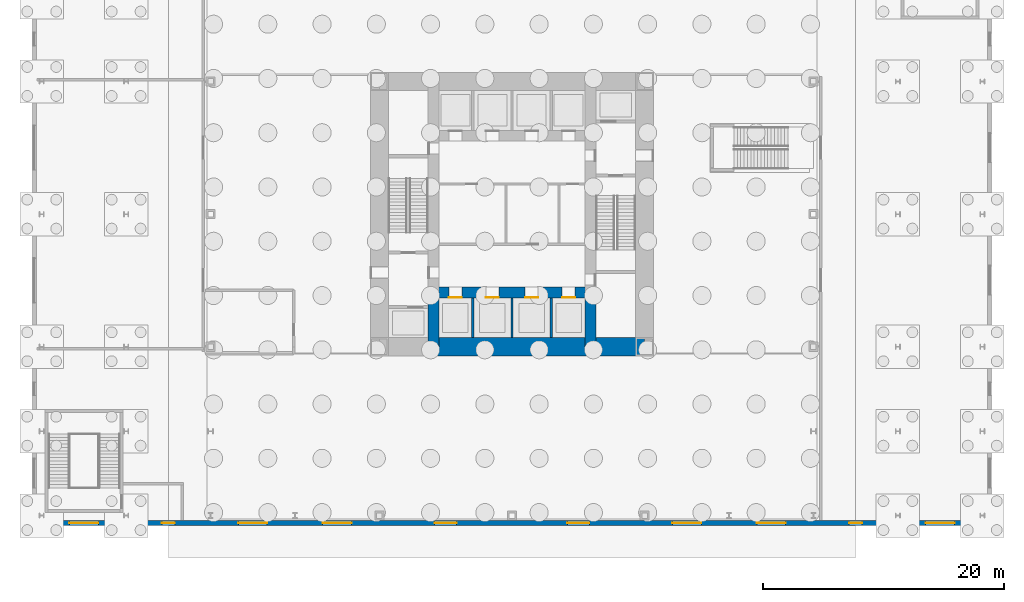
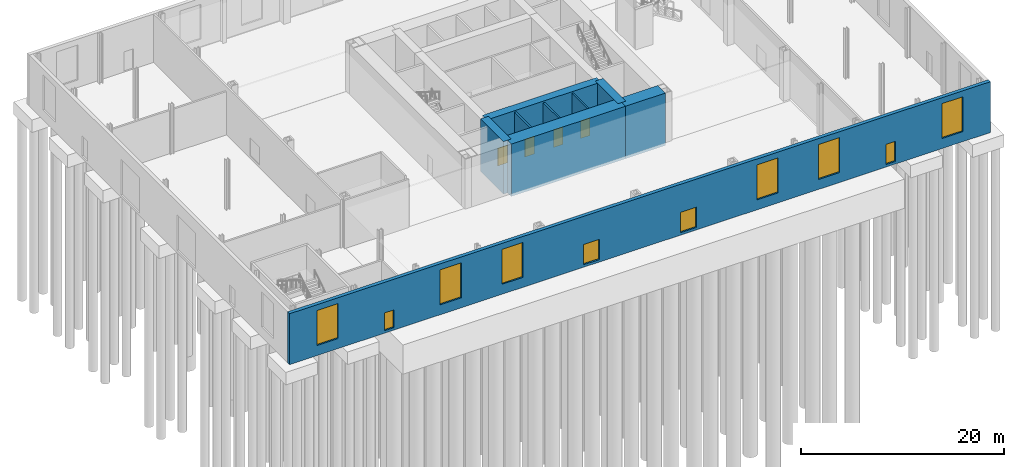
# One storey, part 9 of 16: 9 walls, 8 doors, 6 windows, 14 openings.
"""IFC4 building model written with IfcOpenShell, lengths in metres."""

from ifc_helpers import new_model, si_unit, direction, frame, frame_2d, origin, place, context, subcontext, project, spatial, rectangle, extrude, material, layer, layer_set, type_object, element, fill, save


model = new_model("IFC4")

# Units and contexts
model_context = context("Model", 3, precision=1e-05, world=origin(), true_north=direction((0.0, 1.0)))
body_context = subcontext(model_context, "Body", "Model", "MODEL_VIEW")
ifc_project = project(units=[si_unit("LENGTHUNIT", "METRE"), si_unit("AREAUNIT", "SQUARE_METRE"), si_unit("VOLUMEUNIT", "CUBIC_METRE"), si_unit("PLANEANGLEUNIT", "RADIAN"), si_unit("MASSUNIT", "GRAM", prefix="KILO")], contexts=[model_context])

# Site, building, storey
site_placement = place(None, origin())
site = spatial("IfcSite", under=ifc_project, at=site_placement, CompositionType="ELEMENT")
building_placement = place(site_placement, origin())
building = spatial("IfcBuilding", under=site, at=building_placement, Name="Trevanion Tower", CompositionType="ELEMENT")
storey_placement = place(building_placement, origin())
storey = spatial("IfcBuildingStorey", under=building, at=storey_placement, Name="L00", CompositionType="ELEMENT", Elevation=0.0)

# Walls
ifc_material_1 = material(Name="Concrete 10,000 psi", Category="concrete")
ifc_layer_1 = layer(ifc_material_1, 1.5)
ifc_layer_set_1 = layer_set([ifc_layer_1], Name="CW1 core wall 1500")
wall_type_1 = type_object("IfcWallType", Name="CW1 core wall 1500", PredefinedType="SHEAR", material=ifc_layer_set_1)
wall_1_placement = place(storey_placement, frame((-6.5, -11.0, -0.300048828125), z_axis=(0.0, 0.0, 1.0), x_axis=(1.0, 0.0, 0.0)))
element("IfcWall", 1, at=wall_1_placement, inside=storey, type_object=wall_type_1, Name="CW1 CS2 L00", PredefinedType="SHEAR", context=body_context, shape_type="SweptSolid", body=[
    extrude(rectangle(XDim=13.0, YDim=1.5, at=frame_2d((6.5, 0.0))), origin(), (0.0, 0.0, 1.0), 6.300048828125),
])
wall_2_placement = place(storey_placement, frame((6.5, -11.0, -0.300048828125), z_axis=(0.0, 0.0, 1.0), x_axis=(1.0, 0.0, 0.0)))
element("IfcWall", 2, at=wall_2_placement, inside=storey, type_object=wall_type_1, Name="CW1 CS3 L00", PredefinedType="SHEAR", context=body_context, shape_type="SweptSolid", body=[
    extrude(rectangle(XDim=4.5, YDim=1.5, at=frame_2d((2.25, 0.0))), origin(), (0.0, 0.0, 1.0), 6.300048828125),
])
ifc_material_2 = material(Name="Concrete 10,000 psi", Category="concrete")
ifc_layer_2 = layer(ifc_material_2, 0.89990234375)
ifc_layer_set_2 = layer_set([ifc_layer_2], Name="CW2 core wall 900")
wall_type_2 = type_object("IfcWallType", Name="CW2 core wall 900", PredefinedType="SHEAR", material=ifc_layer_set_2)
for number, where, z_axis, x_axis, name in (
    (3, (6.5, -11.0, -0.300048828125), (0.0, 0.0, 1.0), (0.0, 1.0, 0.0), "CW2 RE1 L00"),
    (4, (-6.5, -6.5, -0.300048828125), (0.0, 0.0, 1.0), (0.0, -1.0, 0.0), "CW2 RW3 L00"),
):
    element("IfcWall", number, at=place(storey_placement, frame(where, z_axis=z_axis, x_axis=x_axis)), inside=storey, type_object=wall_type_2, Name=name, PredefinedType="SHEAR", context=body_context, shape_type="SweptSolid", body=[
        extrude(rectangle(XDim=4.5, YDim=0.89990234375, at=frame_2d((2.25, 0.0))), origin(), (0.0, 0.0, 1.0), 6.300048828125),
    ])

# Wall, openings, doors
wall_3_placement = place(storey_placement, frame((-6.5, -6.5, -0.300048828125), z_axis=(0.0, 0.0, 1.0), x_axis=(1.0, 0.0, 0.0)))
wall_3 = element("IfcWall", 5, at=wall_3_placement, inside=storey, type_object=wall_type_2, Name="CW2 RS L00", PredefinedType="SHEAR", context=body_context, shape_type="SweptSolid", body=[
    extrude(rectangle(XDim=13.0, YDim=0.89990234375, at=frame_2d((6.5, 0.0))), origin(), (0.0, 0.0, 1.0), 6.300048828125),
])
opening_1_placement = place(wall_3_placement, frame((1.2666015625, 0.0, 0.300048828125)))
opening_1 = element("IfcOpeningElement", 6, at=opening_1_placement, cuts=wall_3, Name="Opening 00-015", PredefinedType="OPENING", context=body_context, shape_type="SweptSolid", body=[
    extrude(rectangle(XDim=1.06689453125, YDim=2.134033203125, at=frame_2d((0.533447265625, 1.06689453125))), frame((0.0, 0.4599609375, 0.0), z_axis=(0.0, -1.0, 0.0), x_axis=(1.0, 0.0, 0.0)), (0.0, 0.0, 1.0), 0.919921875),
])
opening_2_placement = place(wall_3_placement, frame((4.341552734375, 0.0, 0.300048828125)))
opening_2 = element("IfcOpeningElement", 7, at=opening_2_placement, cuts=wall_3, Name="Opening 00-016", PredefinedType="OPENING", context=body_context, shape_type="SweptSolid", body=[
    extrude(rectangle(XDim=1.06689453125, YDim=2.134033203125, at=frame_2d((0.533447265625, 1.06689453125))), frame((0.0, 0.4599609375, 0.0), z_axis=(0.0, -1.0, 0.0), x_axis=(1.0, 0.0, 0.0)), (0.0, 0.0, 1.0), 0.919921875),
])
opening_3_placement = place(wall_3_placement, frame((7.591552734375, 0.0, 0.300048828125)))
opening_3 = element("IfcOpeningElement", 8, at=opening_3_placement, cuts=wall_3, Name="Opening 00-017", PredefinedType="OPENING", context=body_context, shape_type="SweptSolid", body=[
    extrude(rectangle(XDim=1.06689453125, YDim=2.134033203125, at=frame_2d((0.533447265625, 1.06689453125))), frame((0.0, 0.4599609375, 0.0), z_axis=(0.0, -1.0, 0.0), x_axis=(1.0, 0.0, 0.0)), (0.0, 0.0, 1.0), 0.919921875),
])
opening_4_placement = place(wall_3_placement, frame((10.66650390625, 0.0, 0.300048828125)))
opening_4 = element("IfcOpeningElement", 9, at=opening_4_placement, cuts=wall_3, Name="Opening 00-018", PredefinedType="OPENING", context=body_context, shape_type="SweptSolid", body=[
    extrude(rectangle(XDim=1.06689453125, YDim=2.134033203125, at=frame_2d((0.533447265625, 1.06689453125))), frame((0.0, 0.4599609375, 0.0), z_axis=(0.0, -1.0, 0.0), x_axis=(1.0, 0.0, 0.0)), (0.0, 0.0, 1.0), 0.919921875),
])
ifc_material_3 = material(Name="Stainless steel, fire rated", Category="steel")
door_type_1 = type_object("IfcDoorType", Name="LD1 lift landing door", OperationType="SLIDING_TO_LEFT", PredefinedType="DOOR", material=ifc_material_3)
door_1_placement = place(opening_1_placement, origin())
door_1 = element("IfcDoor", 10, at=door_1_placement, inside=storey, type_object=door_type_1, Name="Door 00-015", OperationType="SLIDING_TO_LEFT", OverallHeight=2.134033203125, OverallWidth=1.06689453125, PredefinedType="DOOR", context=body_context, shape_type="SweptSolid", body=[
    extrude(rectangle(XDim=1.06689453125, YDim=2.134033203125, at=frame_2d((0.533447265625, 1.06689453125))), frame((0.0, -0.375, 0.0), z_axis=(0.0, -1.0, 0.0), x_axis=(1.0, 0.0, 0.0)), (0.0, 0.0, 1.0), 0.050048828125),
])
fill(opening_1, door_1)
door_2_placement = place(opening_2_placement, origin())
door_2 = element("IfcDoor", 11, at=door_2_placement, inside=storey, type_object=door_type_1, Name="Door 00-016", OperationType="SLIDING_TO_LEFT", OverallHeight=2.134033203125, OverallWidth=1.06689453125, PredefinedType="DOOR", context=body_context, shape_type="SweptSolid", body=[
    extrude(rectangle(XDim=1.06689453125, YDim=2.134033203125, at=frame_2d((0.533447265625, 1.06689453125))), frame((0.0, -0.375, 0.0), z_axis=(0.0, -1.0, 0.0), x_axis=(1.0, 0.0, 0.0)), (0.0, 0.0, 1.0), 0.050048828125),
])
fill(opening_2, door_2)
door_3_placement = place(opening_3_placement, origin())
door_3 = element("IfcDoor", 12, at=door_3_placement, inside=storey, type_object=door_type_1, Name="Door 00-017", OperationType="SLIDING_TO_LEFT", OverallHeight=2.134033203125, OverallWidth=1.06689453125, PredefinedType="DOOR", context=body_context, shape_type="SweptSolid", body=[
    extrude(rectangle(XDim=1.06689453125, YDim=2.134033203125, at=frame_2d((0.533447265625, 1.06689453125))), frame((0.0, -0.375, 0.0), z_axis=(0.0, -1.0, 0.0), x_axis=(1.0, 0.0, 0.0)), (0.0, 0.0, 1.0), 0.050048828125),
])
fill(opening_3, door_3)
door_4_placement = place(opening_4_placement, origin())
door_4 = element("IfcDoor", 13, at=door_4_placement, inside=storey, type_object=door_type_1, Name="Door 00-018", OperationType="SLIDING_TO_LEFT", OverallHeight=2.134033203125, OverallWidth=1.06689453125, PredefinedType="DOOR", context=body_context, shape_type="SweptSolid", body=[
    extrude(rectangle(XDim=1.06689453125, YDim=2.134033203125, at=frame_2d((0.533447265625, 1.06689453125))), frame((0.0, -0.375, 0.0), z_axis=(0.0, -1.0, 0.0), x_axis=(1.0, 0.0, 0.0)), (0.0, 0.0, 1.0), 0.050048828125),
])
fill(opening_4, door_4)

# Wall, openings, doors, windows
ifc_material_4 = material(Name="Granite cladding on concrete masonry", Category="masonry")
ifc_layer_3 = layer(ifc_material_4, 0.39990234375)
ifc_layer_set_3 = layer_set([ifc_layer_3], Name="EW1 granite-faced wall 400")
wall_type_3 = type_object("IfcWallType", Name="EW1 granite-faced wall 400", PredefinedType="SOLIDWALL", material=ifc_layer_set_3)
wall_4_placement = place(storey_placement, frame((-39.820068359375, -25.6201171875, -0.300048828125), z_axis=(0.0, 0.0, 1.0), x_axis=(1.0, 0.0, 0.0)))
wall_4 = element("IfcWall", 14, at=wall_4_placement, inside=storey, type_object=wall_type_3, Name="EW1 S L00", PredefinedType="SOLIDWALL", context=body_context, shape_type="SweptSolid", body=[
    extrude(rectangle(XDim=79.64013671875, YDim=0.39990234375, at=frame_2d((39.820068359375, 0.0))), origin(), (0.0, 0.0, 1.0), 6.110107421875),
])
opening_5_placement = place(wall_4_placement, frame((3.1201171875, 0.0, 1.199951171875)))
opening_5 = element("IfcOpeningElement", 15, at=opening_5_placement, cuts=wall_4, Name="Opening WN1", PredefinedType="OPENING", context=body_context, shape_type="SweptSolid", body=[
    extrude(rectangle(XDim=2.39990234375, YDim=4.199951171875, at=frame_2d((1.199951171875, 2.10009765625))), frame((0.0, 0.2099609375, 0.0), z_axis=(0.0, -1.0, 0.0), x_axis=(1.0, 0.0, 0.0)), (0.0, 0.0, 1.0), 0.419921875),
])
opening_6_placement = place(wall_4_placement, frame((17.1201171875, 0.0, 1.199951171875)))
opening_6 = element("IfcOpeningElement", 16, at=opening_6_placement, cuts=wall_4, Name="Opening WN1", PredefinedType="OPENING", context=body_context, shape_type="SweptSolid", body=[
    extrude(rectangle(XDim=2.39990234375, YDim=4.199951171875, at=frame_2d((1.199951171875, 2.10009765625))), frame((0.0, 0.2099609375, 0.0), z_axis=(0.0, -1.0, 0.0), x_axis=(1.0, 0.0, 0.0)), (0.0, 0.0, 1.0), 0.419921875),
])
opening_7_placement = place(wall_4_placement, frame((24.1201171875, 0.0, 1.199951171875)))
opening_7 = element("IfcOpeningElement", 17, at=opening_7_placement, cuts=wall_4, Name="Opening WN1", PredefinedType="OPENING", context=body_context, shape_type="SweptSolid", body=[
    extrude(rectangle(XDim=2.39990234375, YDim=4.199951171875, at=frame_2d((1.199951171875, 2.10009765625))), frame((0.0, 0.2099609375, 0.0), z_axis=(0.0, -1.0, 0.0), x_axis=(1.0, 0.0, 0.0)), (0.0, 0.0, 1.0), 0.419921875),
])
opening_8_placement = place(wall_4_placement, frame((33.405029296875, 0.0, 0.300048828125)))
opening_8 = element("IfcOpeningElement", 18, at=opening_8_placement, cuts=wall_4, Name="Opening 00E01", PredefinedType="OPENING", context=body_context, shape_type="SweptSolid", body=[
    extrude(rectangle(XDim=1.830078125, YDim=2.43994140625, at=frame_2d((0.9150390625, 1.219970703125))), frame((0.0, 0.2099609375, 0.0), z_axis=(0.0, -1.0, 0.0), x_axis=(1.0, 0.0, 0.0)), (0.0, 0.0, 1.0), 0.419921875),
])
opening_9_placement = place(wall_4_placement, frame((44.405029296875, 0.0, 0.300048828125)))
opening_9 = element("IfcOpeningElement", 19, at=opening_9_placement, cuts=wall_4, Name="Opening 00E02", PredefinedType="OPENING", context=body_context, shape_type="SweptSolid", body=[
    extrude(rectangle(XDim=1.830078125, YDim=2.43994140625, at=frame_2d((0.9150390625, 1.219970703125))), frame((0.0, 0.2099609375, 0.0), z_axis=(0.0, -1.0, 0.0), x_axis=(1.0, 0.0, 0.0)), (0.0, 0.0, 1.0), 0.419921875),
])
opening_10_placement = place(wall_4_placement, frame((53.1201171875, 0.0, 1.199951171875)))
opening_10 = element("IfcOpeningElement", 20, at=opening_10_placement, cuts=wall_4, Name="Opening WN1", PredefinedType="OPENING", context=body_context, shape_type="SweptSolid", body=[
    extrude(rectangle(XDim=2.39990234375, YDim=4.199951171875, at=frame_2d((1.199951171875, 2.10009765625))), frame((0.0, 0.2099609375, 0.0), z_axis=(0.0, -1.0, 0.0), x_axis=(1.0, 0.0, 0.0)), (0.0, 0.0, 1.0), 0.419921875),
])
opening_11_placement = place(wall_4_placement, frame((60.1201171875, 0.0, 1.199951171875)))
opening_11 = element("IfcOpeningElement", 21, at=opening_11_placement, cuts=wall_4, Name="Opening WN1", PredefinedType="OPENING", context=body_context, shape_type="SweptSolid", body=[
    extrude(rectangle(XDim=2.39990234375, YDim=4.199951171875, at=frame_2d((1.199951171875, 2.10009765625))), frame((0.0, 0.2099609375, 0.0), z_axis=(0.0, -1.0, 0.0), x_axis=(1.0, 0.0, 0.0)), (0.0, 0.0, 1.0), 0.419921875),
])
opening_12_placement = place(wall_4_placement, frame((67.784912109375, 0.0, 0.300048828125)))
opening_12 = element("IfcOpeningElement", 22, at=opening_12_placement, cuts=wall_4, Name="Opening 00E03", PredefinedType="OPENING", context=body_context, shape_type="SweptSolid", body=[
    extrude(rectangle(XDim=1.070068359375, YDim=2.43994140625, at=frame_2d((0.53515625, 1.219970703125))), frame((0.0, 0.2099609375, 0.0), z_axis=(0.0, -1.0, 0.0), x_axis=(1.0, 0.0, 0.0)), (0.0, 0.0, 1.0), 0.419921875),
])
opening_13_placement = place(wall_4_placement, frame((74.1201171875, 0.0, 1.199951171875)))
opening_13 = element("IfcOpeningElement", 23, at=opening_13_placement, cuts=wall_4, Name="Opening WN1", PredefinedType="OPENING", context=body_context, shape_type="SweptSolid", body=[
    extrude(rectangle(XDim=2.39990234375, YDim=4.199951171875, at=frame_2d((1.199951171875, 2.10009765625))), frame((0.0, 0.2099609375, 0.0), z_axis=(0.0, -1.0, 0.0), x_axis=(1.0, 0.0, 0.0)), (0.0, 0.0, 1.0), 0.419921875),
])
opening_14_placement = place(wall_4_placement, frame((10.784912109375, 0.0, 0.300048828125)))
opening_14 = element("IfcOpeningElement", 24, at=opening_14_placement, cuts=wall_4, Name="Opening 00E13", PredefinedType="OPENING", context=body_context, shape_type="SweptSolid", body=[
    extrude(rectangle(XDim=1.070068359375, YDim=2.1298828125, at=frame_2d((0.53515625, 1.06494140625))), frame((0.0, 0.2099609375, 0.0), z_axis=(0.0, -1.0, 0.0), x_axis=(1.0, 0.0, 0.0)), (0.0, 0.0, 1.0), 0.419921875),
])
ifc_material_5 = material(Name="Bronze-finish aluminium and glass", Category="aluminium")
door_type_2 = type_object("IfcDoorType", Name="ED1 bronze and glass entrance pair", OperationType="DOUBLE_DOOR_DOUBLE_SWING", PredefinedType="DOOR", material=ifc_material_5)
door_5_placement = place(opening_8_placement, frame((1.830078125, 0.0, 0.0), z_axis=(0.0, 0.0, 1.0), x_axis=(-1.0, 0.0, 0.0)))
door_5 = element("IfcDoor", 25, at=door_5_placement, inside=storey, type_object=door_type_2, Name="Door 00E01", OperationType="SINGLE_SWING_LEFT", OverallHeight=2.43994140625, OverallWidth=1.830078125, PredefinedType="DOOR", context=body_context, shape_type="SweptSolid", body=[
    extrude(rectangle(XDim=1.830078125, YDim=2.43994140625, at=frame_2d((0.9150390625, 1.219970703125))), frame((0.0, 0.02490234375, 0.0), z_axis=(0.0, -1.0, 0.0), x_axis=(1.0, 0.0, 0.0)), (0.0, 0.0, 1.0), 0.050048828125),
])
fill(opening_8, door_5)
door_6_placement = place(opening_9_placement, frame((1.830078125, 0.0, 0.0), z_axis=(0.0, 0.0, 1.0), x_axis=(-1.0, 0.0, 0.0)))
door_6 = element("IfcDoor", 26, at=door_6_placement, inside=storey, type_object=door_type_2, Name="Door 00E02", OperationType="SINGLE_SWING_LEFT", OverallHeight=2.43994140625, OverallWidth=1.830078125, PredefinedType="DOOR", context=body_context, shape_type="SweptSolid", body=[
    extrude(rectangle(XDim=1.830078125, YDim=2.43994140625, at=frame_2d((0.9150390625, 1.219970703125))), frame((0.0, 0.02490234375, 0.0), z_axis=(0.0, -1.0, 0.0), x_axis=(1.0, 0.0, 0.0)), (0.0, 0.0, 1.0), 0.050048828125),
])
fill(opening_9, door_6)
ifc_material_6 = material(Name="Bronze-finish aluminium and glass", Category="aluminium")
door_type_3 = type_object("IfcDoorType", Name="ED2 bronze and glass shop door", OperationType="SINGLE_SWING_LEFT", PredefinedType="DOOR", material=ifc_material_6)
door_7_placement = place(opening_12_placement, frame((1.070068359375, 0.0, 0.0), z_axis=(0.0, 0.0, 1.0), x_axis=(-1.0, 0.0, 0.0)))
door_7 = element("IfcDoor", 27, at=door_7_placement, inside=storey, type_object=door_type_3, Name="Door 00E03", OperationType="SINGLE_SWING_LEFT", OverallHeight=2.43994140625, OverallWidth=1.070068359375, PredefinedType="DOOR", context=body_context, shape_type="SweptSolid", body=[
    extrude(rectangle(XDim=1.070068359375, YDim=2.43994140625, at=frame_2d((0.53515625, 1.219970703125))), frame((0.0, 0.02490234375, 0.0), z_axis=(0.0, -1.0, 0.0), x_axis=(1.0, 0.0, 0.0)), (0.0, 0.0, 1.0), 0.050048828125),
])
fill(opening_12, door_7)
ifc_material_7 = material(Name="Steel", Category="steel")
door_type_4 = type_object("IfcDoorType", Name="ED3 steel exit door", OperationType="SINGLE_SWING_LEFT", PredefinedType="DOOR", material=ifc_material_7)
door_8_placement = place(opening_14_placement, frame((1.070068359375, 0.0, 0.0), z_axis=(0.0, 0.0, 1.0), x_axis=(-1.0, 0.0, 0.0)))
door_8 = element("IfcDoor", 28, at=door_8_placement, inside=storey, type_object=door_type_4, Name="Door 00E13", OperationType="SINGLE_SWING_LEFT", OverallHeight=2.1298828125, OverallWidth=1.070068359375, PredefinedType="DOOR", context=body_context, shape_type="SweptSolid", body=[
    extrude(rectangle(XDim=1.070068359375, YDim=2.1298828125, at=frame_2d((0.53515625, 1.06494140625))), frame((0.0, 0.02490234375, 0.0), z_axis=(0.0, -1.0, 0.0), x_axis=(1.0, 0.0, 0.0)), (0.0, 0.0, 1.0), 0.050048828125),
])
fill(opening_14, door_8)
ifc_material_8 = material(Name="Bronze-finish aluminium frame, insulating glass", Category="aluminium")
window_type = type_object("IfcWindowType", Name="WN1 window 2400x4200", PartitioningType="SINGLE_PANEL", PredefinedType="WINDOW", material=ifc_material_8)
window_1_placement = place(opening_5_placement, origin())
window_1 = element("IfcWindow", 29, at=window_1_placement, inside=storey, type_object=window_type, Name="WN1 S L00", OverallHeight=4.199951171875, OverallWidth=2.39990234375, PartitioningType="SINGLE_PANEL", PredefinedType="WINDOW", context=body_context, shape_type="SweptSolid", body=[
    extrude(rectangle(XDim=2.39990234375, YDim=4.199951171875, at=frame_2d((1.199951171875, 2.10009765625))), frame((0.0, 0.030029296875, 0.0), z_axis=(0.0, -1.0, 0.0), x_axis=(1.0, 0.0, 0.0)), (0.0, 0.0, 1.0), 0.06005859375),
])
fill(opening_5, window_1)
window_2_placement = place(opening_6_placement, origin())
window_2 = element("IfcWindow", 30, at=window_2_placement, inside=storey, type_object=window_type, Name="WN1 S L00", OverallHeight=4.199951171875, OverallWidth=2.39990234375, PartitioningType="SINGLE_PANEL", PredefinedType="WINDOW", context=body_context, shape_type="SweptSolid", body=[
    extrude(rectangle(XDim=2.39990234375, YDim=4.199951171875, at=frame_2d((1.199951171875, 2.10009765625))), frame((0.0, 0.030029296875, 0.0), z_axis=(0.0, -1.0, 0.0), x_axis=(1.0, 0.0, 0.0)), (0.0, 0.0, 1.0), 0.06005859375),
])
fill(opening_6, window_2)
window_3_placement = place(opening_7_placement, origin())
window_3 = element("IfcWindow", 31, at=window_3_placement, inside=storey, type_object=window_type, Name="WN1 S L00", OverallHeight=4.199951171875, OverallWidth=2.39990234375, PartitioningType="SINGLE_PANEL", PredefinedType="WINDOW", context=body_context, shape_type="SweptSolid", body=[
    extrude(rectangle(XDim=2.39990234375, YDim=4.199951171875, at=frame_2d((1.199951171875, 2.10009765625))), frame((0.0, 0.030029296875, 0.0), z_axis=(0.0, -1.0, 0.0), x_axis=(1.0, 0.0, 0.0)), (0.0, 0.0, 1.0), 0.06005859375),
])
fill(opening_7, window_3)
window_4_placement = place(opening_10_placement, origin())
window_4 = element("IfcWindow", 32, at=window_4_placement, inside=storey, type_object=window_type, Name="WN1 S L00", OverallHeight=4.199951171875, OverallWidth=2.39990234375, PartitioningType="SINGLE_PANEL", PredefinedType="WINDOW", context=body_context, shape_type="SweptSolid", body=[
    extrude(rectangle(XDim=2.39990234375, YDim=4.199951171875, at=frame_2d((1.199951171875, 2.10009765625))), frame((0.0, 0.030029296875, 0.0), z_axis=(0.0, -1.0, 0.0), x_axis=(1.0, 0.0, 0.0)), (0.0, 0.0, 1.0), 0.06005859375),
])
fill(opening_10, window_4)
window_5_placement = place(opening_11_placement, origin())
window_5 = element("IfcWindow", 33, at=window_5_placement, inside=storey, type_object=window_type, Name="WN1 S L00", OverallHeight=4.199951171875, OverallWidth=2.39990234375, PartitioningType="SINGLE_PANEL", PredefinedType="WINDOW", context=body_context, shape_type="SweptSolid", body=[
    extrude(rectangle(XDim=2.39990234375, YDim=4.199951171875, at=frame_2d((1.199951171875, 2.10009765625))), frame((0.0, 0.030029296875, 0.0), z_axis=(0.0, -1.0, 0.0), x_axis=(1.0, 0.0, 0.0)), (0.0, 0.0, 1.0), 0.06005859375),
])
fill(opening_11, window_5)
window_6_placement = place(opening_13_placement, origin())
window_6 = element("IfcWindow", 34, at=window_6_placement, inside=storey, type_object=window_type, Name="WN1 S L00", OverallHeight=4.199951171875, OverallWidth=2.39990234375, PartitioningType="SINGLE_PANEL", PredefinedType="WINDOW", context=body_context, shape_type="SweptSolid", body=[
    extrude(rectangle(XDim=2.39990234375, YDim=4.199951171875, at=frame_2d((1.199951171875, 2.10009765625))), frame((0.0, 0.030029296875, 0.0), z_axis=(0.0, -1.0, 0.0), x_axis=(1.0, 0.0, 0.0)), (0.0, 0.0, 1.0), 0.06005859375),
])
fill(opening_13, window_6)

# Walls
ifc_material_9 = material(Name="Concrete masonry, grouted", Category="masonry")
ifc_layer_4 = layer(ifc_material_9, 0.199951171875)
ifc_layer_set_4 = layer_set([ifc_layer_4], Name="PT2 partition 200 2 HR")
wall_type_4 = type_object("IfcWallType", Name="PT2 partition 200 2 HR", PredefinedType="PARTITIONING", material=ifc_layer_set_4)
for number, where, z_axis, x_axis, name in (
    (35, (-3.25, -10.25, 0.0), (0.0, 0.0, 1.0), (0.0, 1.0, 0.0), "PT2 L00 SS0"),
    (36, (0.0, -10.25, 0.0), (0.0, 0.0, 1.0), (0.0, 1.0, 0.0), "PT2 L00 SS1"),
    (37, (3.25, -10.25, 0.0), (0.0, 0.0, 1.0), (0.0, 1.0, 0.0), "PT2 L00 SS2"),
):
    element("IfcWall", number, at=place(storey_placement, frame(where, z_axis=z_axis, x_axis=x_axis)), inside=storey, type_object=wall_type_4, Name=name, PredefinedType="PARTITIONING", context=body_context, shape_type="SweptSolid", body=[
        extrude(rectangle(XDim=3.300048828125, YDim=0.199951171875, at=frame_2d((1.64990234375, 0.0))), origin(), (0.0, 0.0, 1.0), 5.81005859375),
    ])

save(model, "model.ifc")
